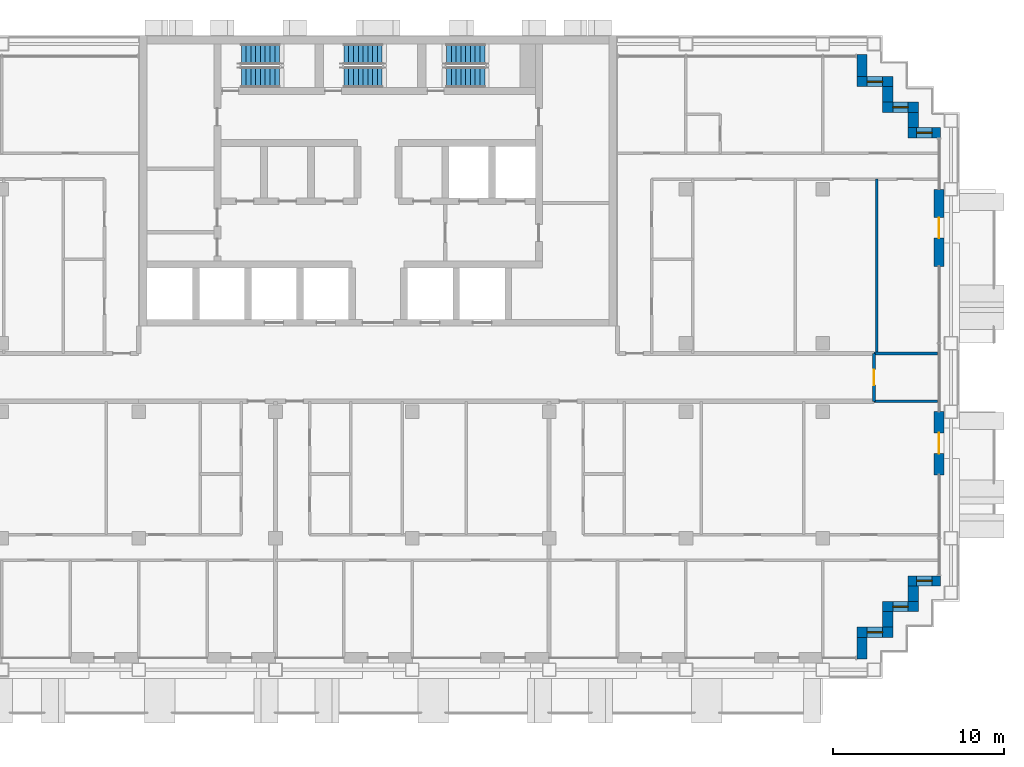
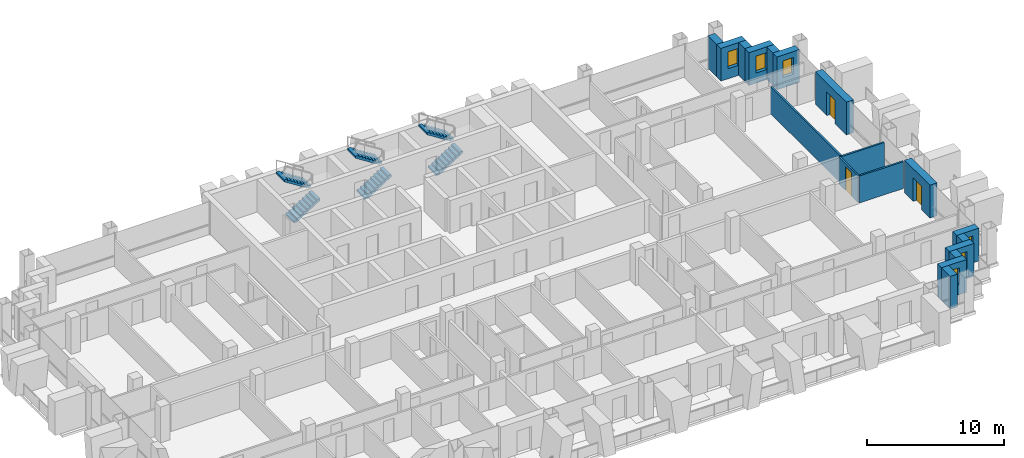
# One storey, part 12 of 16: 18 walls, 6 stair flights, 6 windows, 3 doors, 9 openings, 3 elements without a shape of their own.
"""IFC4 building model written with IfcOpenShell, lengths in metres."""

from ifc_helpers import new_model, si_unit, direction, frame, frame_2d, origin, place, context, subcontext, project, spatial, polyline, rectangle, outline, extrude, material, layer, layer_set, type_object, element, fill, aggregate, save


model = new_model("IFC4")

# Units and contexts
model_context = context("Model", 3, precision=1e-05, world=origin(), true_north=direction((0.0, 1.0)))
body_context = subcontext(model_context, "Body", "Model", "MODEL_VIEW")
ifc_project = project(units=[si_unit("LENGTHUNIT", "METRE"), si_unit("AREAUNIT", "SQUARE_METRE"), si_unit("VOLUMEUNIT", "CUBIC_METRE"), si_unit("PLANEANGLEUNIT", "RADIAN"), si_unit("MASSUNIT", "GRAM", prefix="KILO")], contexts=[model_context])

# Site, building, storey
site_placement = place(None, origin())
site = spatial("IfcSite", under=ifc_project, at=site_placement, CompositionType="ELEMENT")
building_placement = place(site_placement, origin())
building = spatial("IfcBuilding", under=site, at=building_placement, Name="Vidyagriha Tower", CompositionType="ELEMENT")
storey_placement = place(building_placement, frame((0.0, 0.0, 135.800048828125)))
storey = spatial("IfcBuildingStorey", under=building, at=storey_placement, Name="L35", CompositionType="ELEMENT", Elevation=135.800048828125)

# Wall, opening, window
ifc_material_1 = material(Name="Precast concrete C40/50 with brick facing", Category="concrete")
ifc_layer_1 = layer(ifc_material_1, 0.60009765625)
ifc_layer_set_1 = layer_set([ifc_layer_1], Name="Precast concrete C40/50 with brick facing")
wall_type_1 = type_object("IfcWallType", Name="Brick-faced precast wall 600", PredefinedType="STANDARD", material=ifc_layer_set_1)
wall_1_placement = place(storey_placement, frame((32.8798828125, 14.300048828125, 0.0), z_axis=(0.0, 0.0, 1.0), x_axis=(-1.0, 0.0, 0.0)))
wall_1 = element("IfcWall", 1, at=wall_1_placement, inside=storey, type_object=wall_type_1, Name="Stepped corner wall L35 R01", PredefinedType="STANDARD", context=body_context, shape_type="SweptSolid", body=[
    extrude(rectangle(XDim=1.8798828125, YDim=0.60009765625, at=frame_2d((0.93994140625, 0.0))), origin(), (0.0, 0.0, 1.0), 2.919921875),
])
opening_1_placement = place(wall_1_placement, frame((0.489990234375, 0.0, 0.89990234375)))
opening_1 = element("IfcOpeningElement", 2, at=opening_1_placement, cuts=wall_1, Name="Opening WN1", PredefinedType="OPENING", context=body_context, shape_type="SweptSolid", body=[
    extrude(rectangle(XDim=0.89990234375, YDim=1.5, at=frame_2d((0.449951171875, 0.75))), frame((0.0, 0.31005859375, 0.0), z_axis=(0.0, -1.0, 0.0), x_axis=(1.0, 0.0, 0.0)), (0.0, 0.0, 1.0), 0.6201171875),
])
ifc_material_2 = material(Name="Aluminium and glass window", Category="aluminium")
window_type = type_object("IfcWindowType", Name="Reveal window 900x1500", PartitioningType="NOTDEFINED", PredefinedType="WINDOW", material=ifc_material_2)
window_1_placement = place(opening_1_placement, origin())
window_1 = element("IfcWindow", 3, at=window_1_placement, inside=storey, type_object=window_type, Name="Reveal window L35 R01", OverallHeight=1.5, OverallWidth=0.89990234375, PartitioningType="SINGLE_PANEL", PredefinedType="WINDOW", context=body_context, shape_type="SweptSolid", body=[
    extrude(rectangle(XDim=0.89990234375, YDim=1.5, at=frame_2d((0.449951171875, 0.75))), frame((0.0, 0.030029296875, 0.0), z_axis=(0.0, -1.0, 0.0), x_axis=(1.0, 0.0, 0.0)), (0.0, 0.0, 1.0), 0.06005859375),
])
fill(opening_1, window_1)

# Wall
wall_2_placement = place(storey_placement, frame((31.300048828125, 14.60009765625, 0.0), z_axis=(0.0, 0.0, 1.0), x_axis=(0.0, 1.0, 0.0)))
element("IfcWall", 4, at=wall_2_placement, inside=storey, type_object=wall_type_1, Name="Stepped corner wall L35 R02", PredefinedType="STANDARD", context=body_context, shape_type="SweptSolid", body=[
    extrude(rectangle(XDim=0.89990234375, YDim=0.60009765625, at=frame_2d((0.449951171875, 0.0))), origin(), (0.0, 0.0, 1.0), 2.919921875),
])

# Wall, opening, window
wall_3_placement = place(storey_placement, frame((31.60009765625, 15.800048828125, 0.0), z_axis=(0.0, 0.0, 1.0), x_axis=(-1.0, 0.0, 0.0)))
wall_3 = element("IfcWall", 5, at=wall_3_placement, inside=storey, type_object=wall_type_1, Name="Stepped corner wall L35 R03", PredefinedType="STANDARD", context=body_context, shape_type="SweptSolid", body=[
    extrude(rectangle(XDim=2.10009765625, YDim=0.60009765625, at=frame_2d((1.050048828125, 0.0))), origin(), (0.0, 0.0, 1.0), 2.919921875),
])
opening_2_placement = place(wall_3_placement, frame((0.60009765625, 0.0, 0.89990234375)))
opening_2 = element("IfcOpeningElement", 6, at=opening_2_placement, cuts=wall_3, Name="Opening WN1", PredefinedType="OPENING", context=body_context, shape_type="SweptSolid", body=[
    extrude(rectangle(XDim=0.89990234375, YDim=1.5, at=frame_2d((0.449951171875, 0.75))), frame((0.0, 0.31005859375, 0.0), z_axis=(0.0, -1.0, 0.0), x_axis=(1.0, 0.0, 0.0)), (0.0, 0.0, 1.0), 0.6201171875),
])
window_2_placement = place(opening_2_placement, origin())
window_2 = element("IfcWindow", 7, at=window_2_placement, inside=storey, type_object=window_type, Name="Reveal window L35 R03", OverallHeight=1.5, OverallWidth=0.89990234375, PartitioningType="SINGLE_PANEL", PredefinedType="WINDOW", context=body_context, shape_type="SweptSolid", body=[
    extrude(rectangle(XDim=0.89990234375, YDim=1.5, at=frame_2d((0.449951171875, 0.75))), frame((0.0, 0.030029296875, 0.0), z_axis=(0.0, -1.0, 0.0), x_axis=(1.0, 0.0, 0.0)), (0.0, 0.0, 1.0), 0.06005859375),
])
fill(opening_2, window_2)

# Wall
wall_4_placement = place(storey_placement, frame((29.800048828125, 16.10009765625, 0.0), z_axis=(0.0, 0.0, 1.0), x_axis=(0.0, 1.0, 0.0)))
element("IfcWall", 8, at=wall_4_placement, inside=storey, type_object=wall_type_1, Name="Stepped corner wall L35 R04", PredefinedType="STANDARD", context=body_context, shape_type="SweptSolid", body=[
    extrude(rectangle(XDim=0.89990234375, YDim=0.60009765625, at=frame_2d((0.449951171875, 0.0))), origin(), (0.0, 0.0, 1.0), 2.919921875),
])

# Wall, opening, window
wall_5_placement = place(storey_placement, frame((30.10009765625, 17.300048828125, 0.0), z_axis=(0.0, 0.0, 1.0), x_axis=(-1.0, 0.0, 0.0)))
wall_5 = element("IfcWall", 9, at=wall_5_placement, inside=storey, type_object=wall_type_1, Name="Stepped corner wall L35 R05", PredefinedType="STANDARD", context=body_context, shape_type="SweptSolid", body=[
    extrude(rectangle(XDim=2.10009765625, YDim=0.60009765625, at=frame_2d((1.050048828125, 0.0))), origin(), (0.0, 0.0, 1.0), 2.919921875),
])
opening_3_placement = place(wall_5_placement, frame((0.60009765625, 0.0, 0.89990234375)))
opening_3 = element("IfcOpeningElement", 10, at=opening_3_placement, cuts=wall_5, Name="Opening WN1", PredefinedType="OPENING", context=body_context, shape_type="SweptSolid", body=[
    extrude(rectangle(XDim=0.89990234375, YDim=1.5, at=frame_2d((0.449951171875, 0.75))), frame((0.0, 0.31005859375, 0.0), z_axis=(0.0, -1.0, 0.0), x_axis=(1.0, 0.0, 0.0)), (0.0, 0.0, 1.0), 0.6201171875),
])
window_3_placement = place(opening_3_placement, origin())
window_3 = element("IfcWindow", 11, at=window_3_placement, inside=storey, type_object=window_type, Name="Reveal window L35 R05", OverallHeight=1.5, OverallWidth=0.89990234375, PartitioningType="SINGLE_PANEL", PredefinedType="WINDOW", context=body_context, shape_type="SweptSolid", body=[
    extrude(rectangle(XDim=0.89990234375, YDim=1.5, at=frame_2d((0.449951171875, 0.75))), frame((0.0, 0.030029296875, 0.0), z_axis=(0.0, -1.0, 0.0), x_axis=(1.0, 0.0, 0.0)), (0.0, 0.0, 1.0), 0.06005859375),
])
fill(opening_3, window_3)

# Walls
wall_6_placement = place(storey_placement, frame((28.300048828125, 17.60009765625, 0.0), z_axis=(0.0, 0.0, 1.0), x_axis=(0.0, 1.0, 0.0)))
element("IfcWall", 12, at=wall_6_placement, inside=storey, type_object=wall_type_1, Name="Stepped corner wall L35 R06", PredefinedType="STANDARD", context=body_context, shape_type="SweptSolid", body=[
    extrude(rectangle(XDim=1.27978515625, YDim=0.60009765625, at=frame_2d((0.639892578125, 0.0))), origin(), (0.0, 0.0, 1.0), 2.919921875),
])
wall_7_placement = place(storey_placement, frame((28.300048828125, -16.47998046875, 0.0), z_axis=(0.0, 0.0, 1.0), x_axis=(0.0, 1.0, 0.0)))
element("IfcWall", 13, at=wall_7_placement, inside=storey, type_object=wall_type_1, Name="Stepped corner wall L35 R24", PredefinedType="STANDARD", context=body_context, shape_type="SweptSolid", body=[
    extrude(rectangle(XDim=1.280029296875, YDim=0.60009765625, at=frame_2d((0.64013671875, 0.0))), origin(), (0.0, 0.0, 1.0), 2.919921875),
])

# Wall, opening, window
wall_8_placement = place(storey_placement, frame((28.0, -14.89990234375, 0.0)))
wall_8 = element("IfcWall", 14, at=wall_8_placement, inside=storey, type_object=wall_type_1, Name="Stepped corner wall L35 R25", PredefinedType="STANDARD", context=body_context, shape_type="SweptSolid", body=[
    extrude(rectangle(XDim=2.10009765625, YDim=0.60009765625, at=frame_2d((1.050048828125, 0.0))), origin(), (0.0, 0.0, 1.0), 2.919921875),
])
opening_4_placement = place(wall_8_placement, frame((0.60009765625, 0.0, 0.89990234375)))
opening_4 = element("IfcOpeningElement", 15, at=opening_4_placement, cuts=wall_8, Name="Opening WN1", PredefinedType="OPENING", context=body_context, shape_type="SweptSolid", body=[
    extrude(rectangle(XDim=0.89990234375, YDim=1.5, at=frame_2d((0.449951171875, 0.75))), frame((0.0, 0.31005859375, 0.0), z_axis=(0.0, -1.0, 0.0), x_axis=(1.0, 0.0, 0.0)), (0.0, 0.0, 1.0), 0.6201171875),
])
window_4_placement = place(opening_4_placement, origin())
window_4 = element("IfcWindow", 16, at=window_4_placement, inside=storey, type_object=window_type, Name="Reveal window L35 R25", OverallHeight=1.5, OverallWidth=0.89990234375, PartitioningType="SINGLE_PANEL", PredefinedType="WINDOW", context=body_context, shape_type="SweptSolid", body=[
    extrude(rectangle(XDim=0.89990234375, YDim=1.5, at=frame_2d((0.449951171875, 0.75))), frame((0.0, 0.030029296875, 0.0), z_axis=(0.0, -1.0, 0.0), x_axis=(1.0, 0.0, 0.0)), (0.0, 0.0, 1.0), 0.06005859375),
])
fill(opening_4, window_4)

# Wall
wall_9_placement = place(storey_placement, frame((29.800048828125, -14.60009765625, 0.0), z_axis=(0.0, 0.0, 1.0), x_axis=(0.0, 1.0, 0.0)))
element("IfcWall", 17, at=wall_9_placement, inside=storey, type_object=wall_type_1, Name="Stepped corner wall L35 R26", PredefinedType="STANDARD", context=body_context, shape_type="SweptSolid", body=[
    extrude(rectangle(XDim=0.900146484375, YDim=0.60009765625, at=frame_2d((0.4501953125, 0.0))), origin(), (0.0, 0.0, 1.0), 2.919921875),
])

# Wall, opening, window
wall_10_placement = place(storey_placement, frame((29.5, -13.39990234375, 0.0)))
wall_10 = element("IfcWall", 18, at=wall_10_placement, inside=storey, type_object=wall_type_1, Name="Stepped corner wall L35 R27", PredefinedType="STANDARD", context=body_context, shape_type="SweptSolid", body=[
    extrude(rectangle(XDim=2.10009765625, YDim=0.60009765625, at=frame_2d((1.050048828125, 0.0))), origin(), (0.0, 0.0, 1.0), 2.919921875),
])
opening_5_placement = place(wall_10_placement, frame((0.60009765625, 0.0, 0.89990234375)))
opening_5 = element("IfcOpeningElement", 19, at=opening_5_placement, cuts=wall_10, Name="Opening WN1", PredefinedType="OPENING", context=body_context, shape_type="SweptSolid", body=[
    extrude(rectangle(XDim=0.89990234375, YDim=1.5, at=frame_2d((0.449951171875, 0.75))), frame((0.0, 0.31005859375, 0.0), z_axis=(0.0, -1.0, 0.0), x_axis=(1.0, 0.0, 0.0)), (0.0, 0.0, 1.0), 0.6201171875),
])
window_5_placement = place(opening_5_placement, origin())
window_5 = element("IfcWindow", 20, at=window_5_placement, inside=storey, type_object=window_type, Name="Reveal window L35 R27", OverallHeight=1.5, OverallWidth=0.89990234375, PartitioningType="SINGLE_PANEL", PredefinedType="WINDOW", context=body_context, shape_type="SweptSolid", body=[
    extrude(rectangle(XDim=0.89990234375, YDim=1.5, at=frame_2d((0.449951171875, 0.75))), frame((0.0, 0.030029296875, 0.0), z_axis=(0.0, -1.0, 0.0), x_axis=(1.0, 0.0, 0.0)), (0.0, 0.0, 1.0), 0.06005859375),
])
fill(opening_5, window_5)

# Wall
wall_11_placement = place(storey_placement, frame((31.300048828125, -13.10009765625, 0.0), z_axis=(0.0, 0.0, 1.0), x_axis=(0.0, 1.0, 0.0)))
element("IfcWall", 21, at=wall_11_placement, inside=storey, type_object=wall_type_1, Name="Stepped corner wall L35 R28", PredefinedType="STANDARD", context=body_context, shape_type="SweptSolid", body=[
    extrude(rectangle(XDim=0.900146484375, YDim=0.60009765625, at=frame_2d((0.4501953125, 0.0))), origin(), (0.0, 0.0, 1.0), 2.919921875),
])

# Wall, opening, window
wall_12_placement = place(storey_placement, frame((31.0, -11.89990234375, 0.0)))
wall_12 = element("IfcWall", 22, at=wall_12_placement, inside=storey, type_object=wall_type_1, Name="Stepped corner wall L35 R29", PredefinedType="STANDARD", context=body_context, shape_type="SweptSolid", body=[
    extrude(rectangle(XDim=1.8798828125, YDim=0.60009765625, at=frame_2d((0.93994140625, 0.0))), origin(), (0.0, 0.0, 1.0), 2.919921875),
])
opening_6_placement = place(wall_12_placement, frame((0.489990234375, 0.0, 0.89990234375)))
opening_6 = element("IfcOpeningElement", 23, at=opening_6_placement, cuts=wall_12, Name="Opening WN1", PredefinedType="OPENING", context=body_context, shape_type="SweptSolid", body=[
    extrude(rectangle(XDim=0.89990234375, YDim=1.5, at=frame_2d((0.449951171875, 0.75))), frame((0.0, 0.31005859375, 0.0), z_axis=(0.0, -1.0, 0.0), x_axis=(1.0, 0.0, 0.0)), (0.0, 0.0, 1.0), 0.6201171875),
])
window_6_placement = place(opening_6_placement, origin())
window_6 = element("IfcWindow", 24, at=window_6_placement, inside=storey, type_object=window_type, Name="Reveal window L35 R29", OverallHeight=1.5, OverallWidth=0.89990234375, PartitioningType="SINGLE_PANEL", PredefinedType="WINDOW", context=body_context, shape_type="SweptSolid", body=[
    extrude(rectangle(XDim=0.89990234375, YDim=1.5, at=frame_2d((0.449951171875, 0.75))), frame((0.0, 0.030029296875, 0.0), z_axis=(0.0, -1.0, 0.0), x_axis=(1.0, 0.0, 0.0)), (0.0, 0.0, 1.0), 0.06005859375),
])
fill(opening_6, window_6)

# Wall, opening, door
wall_13_placement = place(storey_placement, frame((32.800048828125, -5.699951171875, 0.0), z_axis=(0.0, 0.0, 1.0), x_axis=(0.0, 1.0, 0.0)))
wall_13 = element("IfcWall", 25, at=wall_13_placement, inside=storey, type_object=wall_type_1, Name="Brick door bay wall L35 R30.3", PredefinedType="STANDARD", context=body_context, shape_type="SweptSolid", body=[
    extrude(rectangle(XDim=3.699951171875, YDim=0.60009765625, at=frame_2d((1.85009765625, 0.0))), origin(), (0.0, 0.0, 1.0), 2.919921875),
])
opening_7_placement = place(wall_13_placement, frame((1.25, 0.0, 0.0)))
opening_7 = element("IfcOpeningElement", 26, at=opening_7_placement, cuts=wall_13, Name="Opening D35-74", PredefinedType="OPENING", context=body_context, shape_type="SweptSolid", body=[
    extrude(rectangle(XDim=1.199951171875, YDim=2.10009765625, at=frame_2d((0.60009765625, 1.050048828125))), frame((0.0, 0.31005859375, 0.0), z_axis=(0.0, -1.0, 0.0), x_axis=(1.0, 0.0, 0.0)), (0.0, 0.0, 1.0), 0.6201171875),
])
ifc_material_3 = material(Name="Aluminium framed glazed sliding door", Category="aluminium")
door_type_1 = type_object("IfcDoorType", Name="Balcony sliding door 1200x2100", OperationType="NOTDEFINED", PredefinedType="DOOR", material=ifc_material_3)
door_1_placement = place(opening_7_placement, origin())
door_1 = element("IfcDoor", 27, at=door_1_placement, inside=storey, type_object=door_type_1, Name="Door D35-74", OperationType="SLIDING_TO_LEFT", OverallHeight=2.10009765625, OverallWidth=1.199951171875, PredefinedType="DOOR", context=body_context, shape_type="SweptSolid", body=[
    extrude(rectangle(XDim=1.199951171875, YDim=2.10009765625, at=frame_2d((0.60009765625, 1.050048828125))), frame((0.0, 0.02490234375, 0.0), z_axis=(0.0, -1.0, 0.0), x_axis=(1.0, 0.0, 0.0)), (0.0, 0.0, 1.0), 0.050048828125),
])
fill(opening_7, door_1)

wall_14_placement = place(storey_placement, frame((32.800048828125, 6.5, 0.0), z_axis=(0.0, 0.0, 1.0), x_axis=(0.0, 1.0, 0.0)))
wall_14 = element("IfcWall", 28, at=wall_14_placement, inside=storey, type_object=wall_type_1, Name="Brick door bay wall L35 R30.6", PredefinedType="STANDARD", context=body_context, shape_type="SweptSolid", body=[
    extrude(rectangle(XDim=4.5, YDim=0.60009765625, at=frame_2d((2.25, 0.0))), origin(), (0.0, 0.0, 1.0), 2.919921875),
])
opening_8_placement = place(wall_14_placement, frame((1.64990234375, 0.0, 0.0)))
opening_8 = element("IfcOpeningElement", 29, at=opening_8_placement, cuts=wall_14, Name="Opening D35-75", PredefinedType="OPENING", context=body_context, shape_type="SweptSolid", body=[
    extrude(rectangle(XDim=1.199951171875, YDim=2.10009765625, at=frame_2d((0.60009765625, 1.050048828125))), frame((0.0, 0.31005859375, 0.0), z_axis=(0.0, -1.0, 0.0), x_axis=(1.0, 0.0, 0.0)), (0.0, 0.0, 1.0), 0.6201171875),
])
door_2_placement = place(opening_8_placement, origin())
door_2 = element("IfcDoor", 30, at=door_2_placement, inside=storey, type_object=door_type_1, Name="Door D35-75", OperationType="SLIDING_TO_LEFT", OverallHeight=2.10009765625, OverallWidth=1.199951171875, PredefinedType="DOOR", context=body_context, shape_type="SweptSolid", body=[
    extrude(rectangle(XDim=1.199951171875, YDim=2.10009765625, at=frame_2d((0.60009765625, 1.050048828125))), frame((0.0, 0.02490234375, 0.0), z_axis=(0.0, -1.0, 0.0), x_axis=(1.0, 0.0, 0.0)), (0.0, 0.0, 1.0), 0.050048828125),
])
fill(opening_8, door_2)

# Walls
ifc_material_4 = material(Name="Gypsum board partition")
ifc_layer_2 = layer(ifc_material_4, 0.14990234375)
ifc_layer_set_2 = layer_set([ifc_layer_2], Name="Gypsum board partition")
wall_type_2 = type_object("IfcWallType", Name="Gypsum board partition 150", PredefinedType="PARTITIONING", material=ifc_layer_set_2)
wall_15_placement = place(storey_placement, frame((32.719970703125, -1.39990234375, 0.0), z_axis=(0.0, 0.0, 1.0), x_axis=(-1.0, 0.0, 0.0)))
element("IfcWall", 31, at=wall_15_placement, inside=storey, type_object=wall_type_2, Name="Wall all-L35-w066", PredefinedType="PARTITIONING", context=body_context, shape_type="SweptSolid", body=[
    extrude(rectangle(XDim=3.719970703125, YDim=0.14990234375, at=frame_2d((1.85986328125, 0.0))), origin(), (0.0, 0.0, 1.0), 2.39990234375),
])
wall_16_placement = place(storey_placement, frame((29.14990234375, 11.60009765625, 0.0), z_axis=(0.0, 0.0, 1.0), x_axis=(0.0, -1.0, 0.0)))
element("IfcWall", 32, at=wall_16_placement, inside=storey, type_object=wall_type_2, Name="Wall all-L35-w091", PredefinedType="PARTITIONING", context=body_context, shape_type="SweptSolid", body=[
    extrude(rectangle(XDim=10.2001953125, YDim=0.14990234375, at=frame_2d((5.10009765625, 0.0))), origin(), (0.0, 0.0, 1.0), 2.39990234375),
])
wall_17_placement = place(storey_placement, frame((29.0, 1.39990234375, 0.0)))
element("IfcWall", 33, at=wall_17_placement, inside=storey, type_object=wall_type_2, Name="Wall all-L35-w107", PredefinedType="PARTITIONING", context=body_context, shape_type="SweptSolid", body=[
    extrude(rectangle(XDim=3.719970703125, YDim=0.14990234375, at=frame_2d((1.85986328125, 0.0))), origin(), (0.0, 0.0, 1.0), 2.39990234375),
])

# Wall, opening, door
wall_18_placement = place(storey_placement, frame((29.0, -1.39990234375, 0.0), z_axis=(0.0, 0.0, 1.0), x_axis=(0.0, 1.0, 0.0)))
wall_18 = element("IfcWall", 34, at=wall_18_placement, inside=storey, type_object=wall_type_2, Name="Wall all-L35-w110", PredefinedType="PARTITIONING", context=body_context, shape_type="SweptSolid", body=[
    extrude(rectangle(XDim=2.7998046875, YDim=0.14990234375, at=frame_2d((1.39990234375, 0.0))), origin(), (0.0, 0.0, 1.0), 2.39990234375),
])
opening_9_placement = place(wall_18_placement, frame((0.949951171875, 0.0, 0.0)))
opening_9 = element("IfcOpeningElement", 35, at=opening_9_placement, cuts=wall_18, Name="Opening D35-64", PredefinedType="OPENING", context=body_context, shape_type="SweptSolid", body=[
    extrude(rectangle(XDim=0.89990234375, YDim=2.10009765625, at=frame_2d((0.449951171875, 1.050048828125))), frame((0.0, 0.0849609375, 0.0), z_axis=(0.0, -1.0, 0.0), x_axis=(1.0, 0.0, 0.0)), (0.0, 0.0, 1.0), 0.169921875),
])
ifc_material_5 = material(Name="Timber door leaf", Category="wood")
door_type_2 = type_object("IfcDoorType", Name="Room door 900x2100", OperationType="NOTDEFINED", PredefinedType="DOOR", material=ifc_material_5)
door_3_placement = place(opening_9_placement, origin())
door_3 = element("IfcDoor", 36, at=door_3_placement, inside=storey, type_object=door_type_2, Name="Door D35-64", OperationType="SINGLE_SWING_RIGHT", OverallHeight=2.10009765625, OverallWidth=0.89990234375, PredefinedType="DOOR", context=body_context, shape_type="SweptSolid", body=[
    extrude(rectangle(XDim=0.89990234375, YDim=2.10009765625, at=frame_2d((0.449951171875, 1.050048828125))), frame((0.0, 0.02490234375, 0.0), z_axis=(0.0, -1.0, 0.0), x_axis=(1.0, 0.0, 0.0)), (0.0, 0.0, 1.0), 0.050048828125),
])
fill(opening_9, door_3)

# Stair, stair flights
ifc_material_6 = material(Name="Concrete C40/50", Category="concrete")
stair_type = type_object("IfcStairType", Name="Exit stair, half-turn, precast flights", PredefinedType="HALF_TURN_STAIR", material=ifc_material_6)
stair_1_placement = place(storey_placement, origin())
stair_1 = element("IfcStair", 37, at=stair_1_placement, inside=storey, type_object=stair_type, Name="L35 Exit Stair ST1", PredefinedType="HALF_TURN_STAIR")
ifc_material_7 = material(Name="Precast concrete C40/50", Category="concrete")
stair_flight_type = type_object("IfcStairFlightType", Name="Exit stair flight 1200 mm, precast", PredefinedType="STRAIGHT", material=ifc_material_7)
stair_flight_1_placement = place(storey_placement, frame((-8.0, 17.550048828125, 0.0)))
stair_flight_1 = element("IfcStairFlight", 38, at=stair_flight_1_placement, type_object=stair_flight_type, Name="ST1 flight 1", NumberOfRisers=9, NumberOfTreads=8, PredefinedType="STRAIGHT", RiserHeight=0.177777778, TreadLength=0.28, context=body_context, shape_type="SweptSolid", body=[
    extrude(outline(polyline([(0.0, 0.0), (0.0, 0.177734375), (0.280029296875, 0.177734375), (0.280029296875, 0.35546875), (0.56005859375, 0.35546875), (0.56005859375, 0.533447265625), (0.840087890625, 0.533447265625), (0.840087890625, 0.711181640625), (1.1201171875, 0.711181640625), (1.1201171875, 0.888916015625), (1.39990234375, 0.888916015625), (1.39990234375, 1.066650390625), (1.679931640625, 1.066650390625), (1.679931640625, 1.244384765625), (1.9599609375, 1.244384765625), (1.9599609375, 1.422119140625), (2.239990234375, 1.422119140625), (2.239990234375, 1.60009765625), (2.239990234375, 1.24462890625), (0.27978515625, 0.0), (0.0, 0.0)])), frame((0.0, 0.60009765625, 0.0), z_axis=(0.0, -1.0, 0.0), x_axis=(1.0, 0.0, 0.0)), (0.0, 0.0, 1.0), 1.199951171875),
])
stair_flight_2_placement = place(storey_placement, frame((-5.760009765625, 18.89990234375, 1.599853515625), z_axis=(0.0, 0.0, 1.0), x_axis=(-1.0, 0.0, 0.0)))
stair_flight_2 = element("IfcStairFlight", 39, at=stair_flight_2_placement, type_object=stair_flight_type, Name="ST1 flight 2", NumberOfRisers=9, NumberOfTreads=8, PredefinedType="STRAIGHT", RiserHeight=0.177777778, TreadLength=0.28, context=body_context, shape_type="SweptSolid", body=[
    extrude(outline(polyline([(0.0, 0.0), (0.0, 0.177734375), (0.280029296875, 0.177734375), (0.280029296875, 0.35546875), (0.56005859375, 0.35546875), (0.56005859375, 0.533447265625), (0.840087890625, 0.533447265625), (0.840087890625, 0.711181640625), (1.1201171875, 0.711181640625), (1.1201171875, 0.888916015625), (1.39990234375, 0.888916015625), (1.39990234375, 1.066650390625), (1.679931640625, 1.066650390625), (1.679931640625, 1.244384765625), (1.9599609375, 1.244384765625), (1.9599609375, 1.422119140625), (2.239990234375, 1.422119140625), (2.239990234375, 1.60009765625), (2.239990234375, 1.24462890625), (0.27978515625, 0.0), (0.0, 0.0)])), frame((0.0, 0.60009765625, 0.0), z_axis=(0.0, -1.0, 0.0), x_axis=(1.0, 0.0, 0.0)), (0.0, 0.0, 1.0), 1.199951171875),
])
aggregate(stair_1, [stair_flight_1, stair_flight_2])

stair_2_placement = place(storey_placement, origin())
stair_2 = element("IfcStair", 40, at=stair_2_placement, inside=storey, type_object=stair_type, Name="L35 Exit Stair ST2", PredefinedType="HALF_TURN_STAIR")
stair_flight_3_placement = place(storey_placement, frame((-2.0, 17.550048828125, 0.0)))
stair_flight_3 = element("IfcStairFlight", 41, at=stair_flight_3_placement, type_object=stair_flight_type, Name="ST2 flight 1", NumberOfRisers=9, NumberOfTreads=8, PredefinedType="STRAIGHT", RiserHeight=0.177777778, TreadLength=0.28, context=body_context, shape_type="SweptSolid", body=[
    extrude(outline(polyline([(0.0, 0.0), (0.0, 0.177734375), (0.280029296875, 0.177734375), (0.280029296875, 0.35546875), (0.56005859375, 0.35546875), (0.56005859375, 0.533447265625), (0.840087890625, 0.533447265625), (0.840087890625, 0.711181640625), (1.1201171875, 0.711181640625), (1.1201171875, 0.888916015625), (1.39990234375, 0.888916015625), (1.39990234375, 1.066650390625), (1.679931640625, 1.066650390625), (1.679931640625, 1.244384765625), (1.9599609375, 1.244384765625), (1.9599609375, 1.422119140625), (2.239990234375, 1.422119140625), (2.239990234375, 1.60009765625), (2.239990234375, 1.24462890625), (0.27978515625, 0.0), (0.0, 0.0)])), frame((0.0, 0.60009765625, 0.0), z_axis=(0.0, -1.0, 0.0), x_axis=(1.0, 0.0, 0.0)), (0.0, 0.0, 1.0), 1.199951171875),
])
stair_flight_4_placement = place(storey_placement, frame((0.239990234375, 18.89990234375, 1.599853515625), z_axis=(0.0, 0.0, 1.0), x_axis=(-1.0, 0.0, 0.0)))
stair_flight_4 = element("IfcStairFlight", 42, at=stair_flight_4_placement, type_object=stair_flight_type, Name="ST2 flight 2", NumberOfRisers=9, NumberOfTreads=8, PredefinedType="STRAIGHT", RiserHeight=0.177777778, TreadLength=0.28, context=body_context, shape_type="SweptSolid", body=[
    extrude(outline(polyline([(0.0, 0.0), (0.0, 0.177734375), (0.280029296875, 0.177734375), (0.280029296875, 0.35546875), (0.56005859375, 0.35546875), (0.56005859375, 0.533447265625), (0.840087890625, 0.533447265625), (0.840087890625, 0.711181640625), (1.1201171875, 0.711181640625), (1.1201171875, 0.888916015625), (1.39990234375, 0.888916015625), (1.39990234375, 1.066650390625), (1.679931640625, 1.066650390625), (1.679931640625, 1.244384765625), (1.9599609375, 1.244384765625), (1.9599609375, 1.422119140625), (2.239990234375, 1.422119140625), (2.239990234375, 1.60009765625), (2.239990234375, 1.24462890625), (0.27978515625, 0.0), (0.0, 0.0)])), frame((0.0, 0.60009765625, 0.0), z_axis=(0.0, -1.0, 0.0), x_axis=(1.0, 0.0, 0.0)), (0.0, 0.0, 1.0), 1.199951171875),
])
aggregate(stair_2, [stair_flight_3, stair_flight_4])

stair_3_placement = place(storey_placement, origin())
stair_3 = element("IfcStair", 43, at=stair_3_placement, inside=storey, type_object=stair_type, Name="L35 Exit Stair ST3", PredefinedType="HALF_TURN_STAIR")
stair_flight_5_placement = place(storey_placement, frame((4.0, 17.550048828125, 0.0)))
stair_flight_5 = element("IfcStairFlight", 44, at=stair_flight_5_placement, type_object=stair_flight_type, Name="ST3 flight 1", NumberOfRisers=9, NumberOfTreads=8, PredefinedType="STRAIGHT", RiserHeight=0.177777778, TreadLength=0.28, context=body_context, shape_type="SweptSolid", body=[
    extrude(outline(polyline([(0.0, 0.0), (0.0, 0.177734375), (0.280029296875, 0.177734375), (0.280029296875, 0.35546875), (0.56005859375, 0.35546875), (0.56005859375, 0.533447265625), (0.840087890625, 0.533447265625), (0.840087890625, 0.711181640625), (1.1201171875, 0.711181640625), (1.1201171875, 0.888916015625), (1.39990234375, 0.888916015625), (1.39990234375, 1.066650390625), (1.679931640625, 1.066650390625), (1.679931640625, 1.244384765625), (1.9599609375, 1.244384765625), (1.9599609375, 1.422119140625), (2.239990234375, 1.422119140625), (2.239990234375, 1.60009765625), (2.239990234375, 1.24462890625), (0.27978515625, 0.0), (0.0, 0.0)])), frame((0.0, 0.60009765625, 0.0), z_axis=(0.0, -1.0, 0.0), x_axis=(1.0, 0.0, 0.0)), (0.0, 0.0, 1.0), 1.199951171875),
])
stair_flight_6_placement = place(storey_placement, frame((6.239990234375, 18.89990234375, 1.599853515625), z_axis=(0.0, 0.0, 1.0), x_axis=(-1.0, 0.0, 0.0)))
stair_flight_6 = element("IfcStairFlight", 45, at=stair_flight_6_placement, type_object=stair_flight_type, Name="ST3 flight 2", NumberOfRisers=9, NumberOfTreads=8, PredefinedType="STRAIGHT", RiserHeight=0.177777778, TreadLength=0.28, context=body_context, shape_type="SweptSolid", body=[
    extrude(outline(polyline([(0.0, 0.0), (0.0, 0.177734375), (0.280029296875, 0.177734375), (0.280029296875, 0.35546875), (0.56005859375, 0.35546875), (0.56005859375, 0.533447265625), (0.840087890625, 0.533447265625), (0.840087890625, 0.711181640625), (1.1201171875, 0.711181640625), (1.1201171875, 0.888916015625), (1.39990234375, 0.888916015625), (1.39990234375, 1.066650390625), (1.679931640625, 1.066650390625), (1.679931640625, 1.244384765625), (1.9599609375, 1.244384765625), (1.9599609375, 1.422119140625), (2.239990234375, 1.422119140625), (2.239990234375, 1.60009765625), (2.239990234375, 1.24462890625), (0.27978515625, 0.0), (0.0, 0.0)])), frame((0.0, 0.60009765625, 0.0), z_axis=(0.0, -1.0, 0.0), x_axis=(1.0, 0.0, 0.0)), (0.0, 0.0, 1.0), 1.199951171875),
])
aggregate(stair_3, [stair_flight_5, stair_flight_6])

save(model, "model.ifc")
